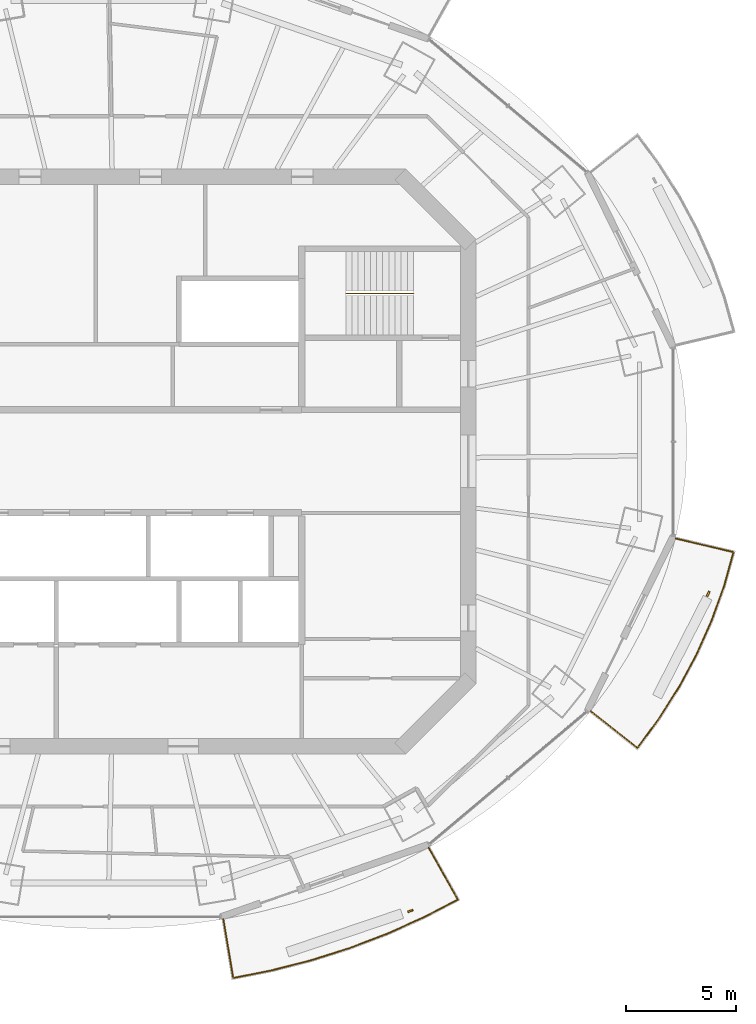
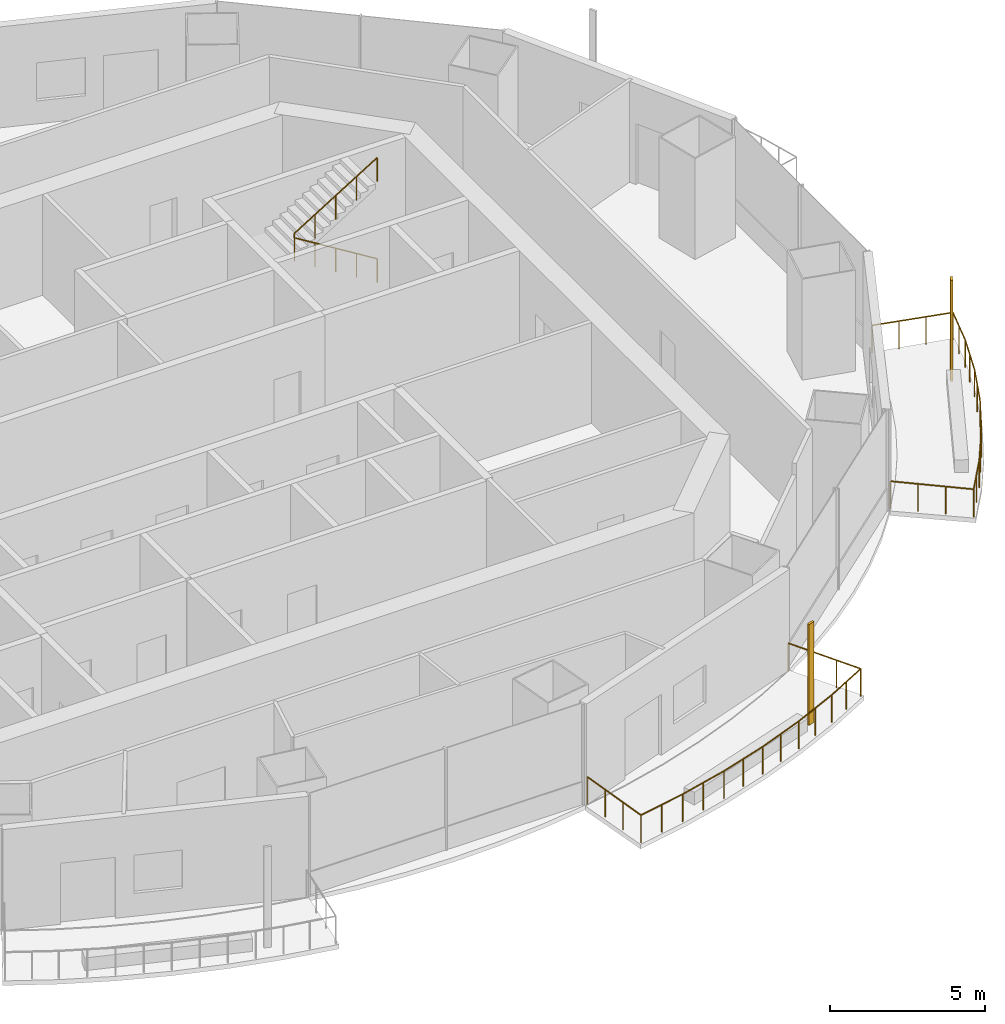
# One storey, part 13 of 16: 3 railings, 2 shading devices.
"""IFC4 building model written with IfcOpenShell, lengths in metres."""

import ifcopenshell
import ifcopenshell.guid

model = None  # the IFC model being written
_history = None  # IfcOwnerHistory: only IFC2X3 demands one
_inside = {}  # id of a spatial element -> (the spatial element, [elements in it])
_under = {}  # id of a project, library or spatial element -> (it, [spatial elements below it])
_declared = {}  # id of a project -> (the project, [libraries it declares])
_typed = {}  # id of a type object -> (the type object, [elements of that type])
_made_of = {}  # id of a material, layer set ... -> (it, [elements and type objects made of it])


def new_model(schema):
    """Start an empty IFC model of exactly this schema.

    Asked for "IFC4X3", IfcOpenShell would pick the latest addendum, in which some entities
    have other attributes; the version numbers below select the first issue.
    IFC2X3 requires an IfcOwnerHistory on every rooted entity: one is made here for all.
    """
    global model, _history
    if schema == "IFC4X3":
        model = ifcopenshell.file(schema_version=(4, 3, 0, 0))
    else:
        model = ifcopenshell.file(schema=schema)
    _inside.clear()
    _under.clear()
    _declared.clear()
    _typed.clear()
    _made_of.clear()
    _history = None
    if model.schema == "IFC2X3":
        org = make("IfcOrganization", Name="unknown")
        user = make(
            "IfcPersonAndOrganization",
            ThePerson=make("IfcPerson", FamilyName="unknown"),
            TheOrganization=org,
        )
        app = make(
            "IfcApplication",
            ApplicationDeveloper=org,
            Version="unknown",
            ApplicationFullName="unknown",
            ApplicationIdentifier="unknown",
        )
        _history = make(
            "IfcOwnerHistory",
            OwningUser=user,
            OwningApplication=app,
            ChangeAction="ADDED",
            CreationDate=0,
        )
    return model


def make(cls, **values):
    """One entity of the class cls with the attributes given. An attribute that is None is left unset."""
    return model.create_entity(
        cls, **{name: value for name, value in values.items() if value is not None}
    )


def rooted(cls, **values):
    """An entity with a GlobalId (a new one), such as an element, a storey or a relation."""
    return make(cls, GlobalId=ifcopenshell.guid.new(), OwnerHistory=_history, **values)


def si_unit(unit_type, name, prefix=None):
    """IfcSIUnit, for example si_unit("LENGTHUNIT", "METRE", prefix="MILLI")."""
    return make("IfcSIUnit", UnitType=unit_type, Prefix=prefix, Name=name)


def assignment(units):
    """IfcUnitAssignment: the units of a project."""
    return None if units is None else make("IfcUnitAssignment", Units=units)


def point(xyz):
    """IfcCartesianPoint."""
    return None if xyz is None else make("IfcCartesianPoint", Coordinates=xyz)


def direction(xyz):
    """IfcDirection."""
    return None if xyz is None else make("IfcDirection", DirectionRatios=xyz)


def frame(location, z_axis=None, x_axis=None):
    """IfcAxis2Placement3D, a coordinate frame: its origin and axes. An axis left out is left unset."""
    return make(
        "IfcAxis2Placement3D",
        Location=point(location),
        Axis=direction(z_axis),
        RefDirection=direction(x_axis),
    )


def frame_2d(location, x_axis=None):
    """IfcAxis2Placement2D, a coordinate frame in the plane: its origin and x axis."""
    return make(
        "IfcAxis2Placement2D", Location=point(location), RefDirection=direction(x_axis)
    )


def origin():
    """The frame at (0, 0, 0) with its axes left unset."""
    return frame((0.0, 0.0, 0.0))


def origin_2d():
    """The frame at (0, 0) in the plane with its x axis left unset."""
    return frame_2d((0.0, 0.0))


def place(relative_to, where):
    """IfcLocalPlacement: puts the frame where relative to a parent placement (None: the world)."""
    return make(
        "IfcLocalPlacement", PlacementRelTo=relative_to, RelativePlacement=where
    )


def context(
    kind, dimensions, precision=None, world=None, true_north=None, identifier=None
):
    """IfcGeometricRepresentationContext, for example the 3D "Model" context."""
    return make(
        "IfcGeometricRepresentationContext",
        ContextIdentifier=identifier,
        ContextType=kind,
        CoordinateSpaceDimension=dimensions,
        Precision=precision,
        WorldCoordinateSystem=world,
        TrueNorth=true_north,
    )


def subcontext(parent, identifier, kind, view, scale=None):
    """IfcGeometricRepresentationSubContext, for example "Body" below "Model"."""
    return make(
        "IfcGeometricRepresentationSubContext",
        ContextIdentifier=identifier,
        ContextType=kind,
        ParentContext=parent,
        TargetScale=scale,
        TargetView=view,
    )


def project(units=None, contexts=None):
    """IfcProject with its units and contexts."""
    return rooted(
        "IfcProject",
        Name="project",
        RepresentationContexts=contexts,
        UnitsInContext=assignment(units),
    )


def spatial(cls, under=None, at=None, **own):
    """A site, building, storey or space (cls), placed at a placement, below another one or the project."""
    s = rooted(cls, ObjectPlacement=at, **own)
    if under is not None:
        _under.setdefault(under.id(), (under, []))[1].append(s)
    return s


def profile(cls, at=None, kind="AREA", **sizes):
    """A parametric profile (cls). Its sizes go by their IFC names, for example OverallWidth=200.0."""
    return make(cls, ProfileType=kind, Position=at, **sizes)


def rectangle(**sizes):
    """IfcRectangleProfileDef."""
    return profile("IfcRectangleProfileDef", **sizes)


def circle(**sizes):
    """IfcCircleProfileDef."""
    return profile("IfcCircleProfileDef", **sizes)


def extrude(swept, where, along, depth):
    """IfcExtrudedAreaSolid: the profile swept, set in the frame where, extruded along a direction by depth."""
    return make(
        "IfcExtrudedAreaSolid",
        SweptArea=swept,
        Position=where,
        ExtrudedDirection=direction(along),
        Depth=depth,
    )


def shape(context_of_items, identifier, shape_type, items):
    """IfcShapeRepresentation: the items that make up one representation, for example the "Body"."""
    return make(
        "IfcShapeRepresentation",
        ContextOfItems=context_of_items,
        RepresentationIdentifier=identifier,
        RepresentationType=shape_type,
        Items=items,
    )


def material(Name=None, Category=None):
    """IfcMaterial."""
    return make("IfcMaterial", Name=Name, Category=Category)


def material_profile(
    of_material, cross_section, Name=None, Category=None, Priority=None
):
    """IfcMaterialProfile: a cross section and its material."""
    return make(
        "IfcMaterialProfile",
        Name=Name,
        Material=of_material,
        Profile=cross_section,
        Priority=Priority,
        Category=Category,
    )


def profile_set(profiles, Name=None, composite=None):
    """IfcMaterialProfileSet."""
    return make(
        "IfcMaterialProfileSet",
        Name=Name,
        MaterialProfiles=profiles,
        CompositeProfile=composite,
    )


def made_of(thing, what):
    """Note that an element or type object is made of a material, layer set ...; save() writes the relation."""
    if what is not None:
        _made_of.setdefault(what.id(), (what, []))[1].append(thing)
    return thing


def type_object(cls, material=None, **own):
    """A type object (cls), such as IfcWallType, which elements share."""
    return made_of(rooted(cls, **own), material)


def element(
    cls,
    number,
    at=None,
    inside=None,
    cuts=None,
    type_object=None,
    material=None,
    context=None,
    identifier="Body",
    shape_type=None,
    held_by="IfcProductDefinitionShape",
    body=None,
    shapes=None,
    **own,
):
    """One element of the class cls, such as IfcWall. Its Tag is "e" and its number.

    at: its placement. inside: the storey or other place that contains it. cuts: it is an
    opening in that element (IfcRelVoidsElement). A single representation is given by context,
    identifier, shape_type and body (its items); several are given by shapes. held_by: the class
    of the entity that holds the representations. save() writes the other relations.
    """
    e = rooted(cls, Tag="e%d" % number, ObjectPlacement=at, **own)
    if body is not None:
        shapes = [shape(context, identifier, shape_type, body)]
    if shapes is not None:
        e.Representation = make(held_by, Representations=shapes)
    if inside is not None:
        _inside.setdefault(inside.id(), (inside, []))[1].append(e)
    if cuts is not None:
        rooted(
            "IfcRelVoidsElement", RelatingBuildingElement=cuts, RelatedOpeningElement=e
        )
    if type_object is not None:
        _typed.setdefault(type_object.id(), (type_object, []))[1].append(e)
    return made_of(e, material)


def aggregate(whole, parts):
    """IfcRelAggregates: a whole, such as a stair, and the parts it consists of."""
    return rooted("IfcRelAggregates", RelatingObject=whole, RelatedObjects=parts)


def save(model, path):
    """Write the relations noted so far, then the file.

    IfcRelAggregates (storeys below a building ...), IfcRelContainedInSpatialStructure (elements
    in a storey), IfcRelDefinesByType, IfcRelAssociatesMaterial and IfcRelDeclares: one each for
    every whole, place, type object, material and project.
    """
    for whole, parts in _under.values():
        aggregate(whole, parts)
    for where, things in _inside.values():
        rooted(
            "IfcRelContainedInSpatialStructure",
            RelatedElements=things,
            RelatingStructure=where,
        )
    for kind, things in _typed.values():
        rooted("IfcRelDefinesByType", RelatedObjects=things, RelatingType=kind)
    for what, things in _made_of.values():
        rooted("IfcRelAssociatesMaterial", RelatedObjects=things, RelatingMaterial=what)
    for by, libraries in _declared.values():
        rooted("IfcRelDeclares", RelatingContext=by, RelatedDefinitions=libraries)
    model.write(path)


model = new_model("IFC4")

# Units and contexts
model_context = context("Model", 3, precision=1e-05, world=origin(), true_north=direction((0.0, 1.0)))
body_context = subcontext(model_context, "Body", "Model", "MODEL_VIEW")
ifc_project = project(units=[si_unit("LENGTHUNIT", "METRE"), si_unit("AREAUNIT", "SQUARE_METRE"), si_unit("VOLUMEUNIT", "CUBIC_METRE"), si_unit("PLANEANGLEUNIT", "RADIAN"), si_unit("MASSUNIT", "GRAM", prefix="KILO")], contexts=[model_context])

# Site, building, storey
site_placement = place(None, origin())
site = spatial("IfcSite", under=ifc_project, at=site_placement, CompositionType="ELEMENT")
building_placement = place(site_placement, origin())
building = spatial("IfcBuilding", under=site, at=building_placement, Name="Marenthal Gate Tower", CompositionType="ELEMENT")
storey_placement = place(building_placement, frame((0.0, 0.0, 359.199951171875)))
storey = spatial("IfcBuildingStorey", under=building, at=storey_placement, Name="L81", CompositionType="ELEMENT", Elevation=359.199951171875)

# Railings
ifc_material_1 = material(Name="Stainless steel", Category="steel")
railing_type_1 = type_object("IfcRailingType", Name="Balcony guard 1100", PredefinedType="GUARDRAIL", material=ifc_material_1)
railing_1_placement = place(storey_placement, frame((14.18896484375, -17.62353515625, 0.0)))
element("IfcRailing", 1, at=railing_1_placement, inside=storey, type_object=railing_type_1, Name="Balcony guard L81 bay 13", PredefinedType="GUARDRAIL", context=body_context, shape_type="SweptSolid", body=[
    extrude(circle(Radius=0.02392578125, at=origin_2d()), frame((0.0, 0.0, 1.076171875), z_axis=(0.490915294113, -0.871082969774, -0.014718484138), x_axis=(0.871177338103, 0.490968477171, 0.0)), (0.0, 0.0, 1.0), 2.72021484375),
    extrude(circle(Radius=0.02392578125, at=origin_2d()), frame((1.33544921875, -2.36962890625, 1.0361328125), z_axis=(-0.886366910687, -0.462983476637, 0.0), x_axis=(0.462983476637, -0.886366910687, 0.0)), (0.0, 0.0, 1.0), 1.738525390625),
    extrude(circle(Radius=0.02392578125, at=origin_2d()), frame((-0.20556640625, -3.174560546875, 1.0361328125), z_axis=(-0.911781695063, -0.410675225146, 0.0), x_axis=(0.410675225146, -0.911781695063, 0.0)), (0.0, 0.0, 1.0), 1.830322265625),
    extrude(circle(Radius=0.02392578125, at=origin_2d()), frame((-1.87451171875, -3.92626953125, 1.0361328125), z_axis=(-0.934231239104, -0.35666790139, 0.0), x_axis=(0.35666790139, -0.934231239104, 0.0)), (0.0, 0.0, 1.0), 1.84130859375),
    extrude(circle(Radius=0.02392578125, at=origin_2d()), frame((-3.5947265625, -4.5830078125, 1.0361328125), z_axis=(-0.953211172176, -0.30230524514, 0.0), x_axis=(0.30230524514, -0.953211172176, 0.0)), (0.0, 0.0, 1.0), 1.85107421875),
    extrude(circle(Radius=0.02392578125, at=origin_2d()), frame((-5.359130859375, -5.142578125, 1.0361328125), z_axis=(-0.968846683281, -0.247661269269, 0.0), x_axis=(0.247661269269, -0.968846683281, 0.0)), (0.0, 0.0, 1.0), 1.859130859375),
    extrude(circle(Radius=0.02392578125, at=origin_2d()), frame((-7.160400390625, -5.60302734375, 1.0361328125), z_axis=(-0.981009399429, -0.193960197546, 0.0), x_axis=(0.193960197546, -0.981009399429, 0.0)), (0.0, 0.0, 1.0), 1.7861328125),
    extrude(circle(Radius=0.02392578125, at=origin_2d()), frame((-8.91259765625, -5.949462890625, 1.0361328125), z_axis=(-0.165414456926, 0.986114290962, 0.01471946334), x_axis=(-0.986221135368, -0.165432379401, 0.0)), (0.0, 0.0, 1.0), 2.72021484375),
    extrude(circle(Radius=0.02099609375, at=origin_2d()), origin(), (0.0, 0.0, 1.0), 1.052001953125),
    extrude(circle(Radius=0.02099609375, at=origin_2d()), frame((0.445068359375, -0.789794921875, -0.013427734375)), (0.0, 0.0, 1.0), 1.052001953125),
    extrude(circle(Radius=0.02099609375, at=origin_2d()), frame((0.890380859375, -1.579833984375, -0.026611328125)), (0.0, 0.0, 1.0), 1.052001953125),
    extrude(circle(Radius=0.02099609375, at=origin_2d()), frame((1.33544921875, -2.36962890625, -0.0400390625)), (0.0, 0.0, 1.0), 1.052001953125),
    extrude(circle(Radius=0.02099609375, at=origin_2d()), frame((0.56494140625, -2.77197265625, -0.0400390625)), (0.0, 0.0, 1.0), 1.052001953125),
    extrude(circle(Radius=0.02099609375, at=origin_2d()), frame((-0.20556640625, -3.174560546875, -0.0400390625)), (0.0, 0.0, 1.0), 1.052001953125),
    extrude(circle(Radius=0.02099609375, at=origin_2d()), frame((-1.0400390625, -3.55029296875, -0.0400390625)), (0.0, 0.0, 1.0), 1.052001953125),
    extrude(circle(Radius=0.02099609375, at=origin_2d()), frame((-1.87451171875, -3.92626953125, -0.0400390625)), (0.0, 0.0, 1.0), 1.052001953125),
    extrude(circle(Radius=0.02099609375, at=origin_2d()), frame((-2.734619140625, -4.254638671875, -0.0400390625)), (0.0, 0.0, 1.0), 1.052001953125),
    extrude(circle(Radius=0.02099609375, at=origin_2d()), frame((-3.5947265625, -4.5830078125, -0.0400390625)), (0.0, 0.0, 1.0), 1.052001953125),
    extrude(circle(Radius=0.02099609375, at=origin_2d()), frame((-4.47705078125, -4.86279296875, -0.0400390625)), (0.0, 0.0, 1.0), 1.052001953125),
    extrude(circle(Radius=0.02099609375, at=origin_2d()), frame((-5.359130859375, -5.142578125, -0.0400390625)), (0.0, 0.0, 1.0), 1.052001953125),
    extrude(circle(Radius=0.02099609375, at=origin_2d()), frame((-6.259765625, -5.372802734375, -0.0400390625)), (0.0, 0.0, 1.0), 1.052001953125),
    extrude(circle(Radius=0.02099609375, at=origin_2d()), frame((-7.160400390625, -5.60302734375, -0.0400390625)), (0.0, 0.0, 1.0), 1.052001953125),
    extrude(circle(Radius=0.02099609375, at=origin_2d()), frame((-8.03662109375, -5.7763671875, -0.0400390625)), (0.0, 0.0, 1.0), 1.052001953125),
    extrude(circle(Radius=0.02099609375, at=origin_2d()), frame((-8.91259765625, -5.949462890625, -0.0400390625)), (0.0, 0.0, 1.0), 1.052001953125),
    extrude(circle(Radius=0.02099609375, at=origin_2d()), frame((-9.0625, -5.055419921875, -0.026611328125)), (0.0, 0.0, 1.0), 1.052001953125),
    extrude(circle(Radius=0.02099609375, at=origin_2d()), frame((-9.212646484375, -4.1611328125, -0.013427734375)), (0.0, 0.0, 1.0), 1.052001953125),
    extrude(circle(Radius=0.02099609375, at=origin_2d()), frame((-9.362548828125, -3.26708984375, 0.0)), (0.0, 0.0, 1.0), 1.052001953125),
])
railing_2_placement = place(storey_placement, frame((25.459716796875, -3.514892578125, 0.0)))
element("IfcRailing", 2, at=railing_2_placement, inside=storey, type_object=railing_type_1, Name="Balcony guard L81 bay 15", PredefinedType="GUARDRAIL", context=body_context, shape_type="SweptSolid", body=[
    extrude(circle(Radius=0.02392578125, at=origin_2d()), frame((0.0, 0.0, 1.076171875), z_axis=(0.973197410229, -0.229499748958, -0.014719577172), x_axis=(0.22952461539, 0.973302856736, 0.0)), (0.0, 0.0, 1.0), 2.72021484375),
    extrude(circle(Radius=0.02392578125, at=origin_2d()), frame((2.647216796875, -0.624267578125, 1.0361328125), z_axis=(-0.268353564757, -0.963320488873, 0.0), x_axis=(0.963320488873, -0.268353564757, 0.0)), (0.0, 0.0, 1.0), 1.5966796875),
    extrude(circle(Radius=0.02392578125, at=origin_2d()), frame((2.21875, -2.162353515625, 1.0361328125), z_axis=(-0.338714333793, -0.940889260266, 0.0), x_axis=(0.940889260266, -0.338714333793, 0.0)), (0.0, 0.0, 1.0), 1.683837890625),
    extrude(circle(Radius=0.02392578125, at=origin_2d()), frame((1.6484375, -3.74658203125, 1.0361328125), z_axis=(-0.407771151083, -0.913084162793, 0.0), x_axis=(0.913084162793, -0.407771151083, 0.0)), (0.0, 0.0, 1.0), 1.69189453125),
    extrude(circle(Radius=0.02392578125, at=origin_2d()), frame((0.95849609375, -5.29150390625, 1.0361328125), z_axis=(-0.473637855675, -0.88071969529, 0.0), x_axis=(0.88071969529, -0.473637855675, 0.0)), (0.0, 0.0, 1.0), 1.7021484375),
    extrude(circle(Radius=0.02392578125, at=origin_2d()), frame((0.15234375, -6.79052734375, 1.0361328125), z_axis=(-0.535611442073, -0.844464554093, 0.0), x_axis=(0.844464554093, -0.535611442073, 0.0)), (0.0, 0.0, 1.0), 1.712890625),
    extrude(circle(Radius=0.02392578125, at=origin_2d()), frame((-0.76513671875, -8.237060546875, 1.0361328125), z_axis=(-0.59246977966, -0.805592676351, 0.0), x_axis=(0.805592676351, -0.59246977966, 0.0)), (0.0, 0.0, 1.0), 1.64501953125),
    extrude(circle(Radius=0.02392578125, at=origin_2d()), frame((-1.73974609375, -9.562255859375, 1.0361328125), z_axis=(-0.783769769253, 0.620877048402, 0.014718681113), x_axis=(-0.6209443126, -0.783854680824, 0.0)), (0.0, 0.0, 1.0), 2.72021484375),
    extrude(circle(Radius=0.02099609375, at=origin_2d()), origin(), (0.0, 0.0, 1.0), 1.052001953125),
    extrude(circle(Radius=0.02099609375, at=origin_2d()), frame((0.88232421875, -0.2080078125, -0.013427734375)), (0.0, 0.0, 1.0), 1.052001953125),
    extrude(circle(Radius=0.02099609375, at=origin_2d()), frame((1.764892578125, -0.416259765625, -0.026611328125)), (0.0, 0.0, 1.0), 1.052001953125),
    extrude(circle(Radius=0.02099609375, at=origin_2d()), frame((2.647216796875, -0.624267578125, -0.0400390625)), (0.0, 0.0, 1.0), 1.052001953125),
    extrude(circle(Radius=0.02099609375, at=origin_2d()), frame((2.43310546875, -1.393310546875, -0.0400390625)), (0.0, 0.0, 1.0), 1.052001953125),
    extrude(circle(Radius=0.02099609375, at=origin_2d()), frame((2.21875, -2.162353515625, -0.0400390625)), (0.0, 0.0, 1.0), 1.052001953125),
    extrude(circle(Radius=0.02099609375, at=origin_2d()), frame((1.93359375, -2.95458984375, -0.0400390625)), (0.0, 0.0, 1.0), 1.052001953125),
    extrude(circle(Radius=0.02099609375, at=origin_2d()), frame((1.6484375, -3.74658203125, -0.0400390625)), (0.0, 0.0, 1.0), 1.052001953125),
    extrude(circle(Radius=0.02099609375, at=origin_2d()), frame((1.303466796875, -4.51904296875, -0.0400390625)), (0.0, 0.0, 1.0), 1.052001953125),
    extrude(circle(Radius=0.02099609375, at=origin_2d()), frame((0.95849609375, -5.29150390625, -0.0400390625)), (0.0, 0.0, 1.0), 1.052001953125),
    extrude(circle(Radius=0.02099609375, at=origin_2d()), frame((0.555419921875, -6.041015625, -0.0400390625)), (0.0, 0.0, 1.0), 1.052001953125),
    extrude(circle(Radius=0.02099609375, at=origin_2d()), frame((0.15234375, -6.79052734375, -0.0400390625)), (0.0, 0.0, 1.0), 1.052001953125),
    extrude(circle(Radius=0.02099609375, at=origin_2d()), frame((-0.306396484375, -7.513671875, -0.0400390625)), (0.0, 0.0, 1.0), 1.052001953125),
    extrude(circle(Radius=0.02099609375, at=origin_2d()), frame((-0.76513671875, -8.237060546875, -0.0400390625)), (0.0, 0.0, 1.0), 1.052001953125),
    extrude(circle(Radius=0.02099609375, at=origin_2d()), frame((-1.25244140625, -8.899658203125, -0.0400390625)), (0.0, 0.0, 1.0), 1.052001953125),
    extrude(circle(Radius=0.02099609375, at=origin_2d()), frame((-1.73974609375, -9.562255859375, -0.0400390625)), (0.0, 0.0, 1.0), 1.052001953125),
    extrude(circle(Radius=0.02099609375, at=origin_2d()), frame((-2.450439453125, -8.999267578125, -0.026611328125)), (0.0, 0.0, 1.0), 1.052001953125),
    extrude(circle(Radius=0.02099609375, at=origin_2d()), frame((-3.1611328125, -8.436279296875, -0.013427734375)), (0.0, 0.0, 1.0), 1.052001953125),
    extrude(circle(Radius=0.02099609375, at=origin_2d()), frame((-3.871826171875, -7.873291015625, 0.0)), (0.0, 0.0, 1.0), 1.052001953125),
])
ifc_material_2 = material(Name="Stainless steel", Category="steel")
railing_type_2 = type_object("IfcRailingType", Name="Stair handrail", PredefinedType="HANDRAIL", material=ifc_material_2)
railing_3_placement = place(storey_placement, frame((13.5, 7.675048828125, 0.1728515625)))
element("IfcRailing", 3, at=railing_3_placement, inside=storey, type_object=railing_type_2, Name="Handrail ST3", PredefinedType="HANDRAIL", context=body_context, shape_type="SweptSolid", body=[
    extrude(circle(Radius=0.0224609375, at=origin_2d()), frame((0.0, 0.0, 0.927490234375), z_axis=(-0.850835241893, 0.0, 0.525432575268), x_axis=(0.0, -1.0, 0.0)), (0.0, 0.0, 1.0), 3.6201171875),
    extrude(circle(Radius=0.0224609375, at=origin_2d()), frame((-3.080078125, 0.0, 2.82958984375), z_axis=(0.0, 0.0, 1.0), x_axis=(1.0, 0.0, 0.0)), (0.0, 0.0, 1.0), 0.173095703125),
    extrude(circle(Radius=0.0224609375, at=origin_2d()), frame((-3.080078125, 0.0, 3.002685546875), z_axis=(0.850835241893, 0.0, 0.525432575268), x_axis=(0.0, 1.0, 0.0)), (0.0, 0.0, 1.0), 3.6201171875),
    extrude(circle(Radius=0.02001953125, at=origin_2d()), origin(), (0.0, 0.0, 1.0), 0.905029296875),
    extrude(circle(Radius=0.02001953125, at=origin_2d()), frame((-0.77001953125, 0.0, 0.4755859375)), (0.0, 0.0, 1.0), 0.905029296875),
    extrude(circle(Radius=0.02001953125, at=origin_2d()), frame((-1.5400390625, 0.0, 0.951171875)), (0.0, 0.0, 1.0), 0.905029296875),
    extrude(circle(Radius=0.02001953125, at=origin_2d()), frame((-2.31005859375, 0.0, 1.426513671875)), (0.0, 0.0, 1.0), 0.905029296875),
    extrude(circle(Radius=0.02001953125, at=origin_2d()), frame((-3.080078125, 0.0, 1.902099609375)), (0.0, 0.0, 1.0), 0.905029296875),
    extrude(circle(Radius=0.02001953125, at=origin_2d()), frame((-3.080078125, 0.0, 2.0751953125)), (0.0, 0.0, 1.0), 0.905029296875),
    extrude(circle(Radius=0.02001953125, at=origin_2d()), frame((-2.31005859375, 0.0, 2.55078125)), (0.0, 0.0, 1.0), 0.905029296875),
    extrude(circle(Radius=0.02001953125, at=origin_2d()), frame((-1.5400390625, 0.0, 3.0263671875)), (0.0, 0.0, 1.0), 0.905029296875),
    extrude(circle(Radius=0.02001953125, at=origin_2d()), frame((-0.77001953125, 0.0, 3.501708984375)), (0.0, 0.0, 1.0), 0.905029296875),
    extrude(circle(Radius=0.02001953125, at=origin_2d()), frame((0.0, 0.0, 3.977294921875)), (0.0, 0.0, 1.0), 0.905029296875),
])

# Shading devices
ifc_material_3 = material(Name="Terracotta", Category="masonry")
ifc_material_profile = material_profile(ifc_material_3, rectangle(XDim=0.25, YDim=0.080078125, at=origin_2d()), Name="Terracotta baguette 250x80")
ifc_profile_set = profile_set([ifc_material_profile], Name="Terracotta")
shading_device_type = type_object("IfcShadingDeviceType", Name="Terracotta BAGUETTE SCREEN 250x80", PredefinedType="USERDEFINED", material=ifc_profile_set)
for number, where, z_axis, x_axis, name in (
    (4, (13.36181640625, -20.5146484375, -0.0400390625), (0.0, 0.0, 1.0), (0.944118156364, 0.329607200807, 0.0), "Terracotta BAGUETTE L81 bay 13R"),
    (5, (26.953857421875, -6.040771484375, -0.0400390625), (0.0, 0.0, 1.0), (0.441063469926, 0.897475913603, 0.0), "Terracotta BAGUETTE L81 bay 15R"),
):
    element("IfcShadingDevice", number, at=place(storey_placement, frame(where, z_axis=z_axis, x_axis=x_axis)), inside=storey, type_object=shading_device_type, Name=name, ObjectType="BAGUETTE SCREEN", PredefinedType="USERDEFINED", context=body_context, shape_type="SweptSolid", body=[
        extrude(rectangle(XDim=0.25, YDim=0.080078125, at=origin_2d()), origin(), (0.0, 0.0, 1.0), 3.969970703125),
    ])

save(model, "model.ifc")
